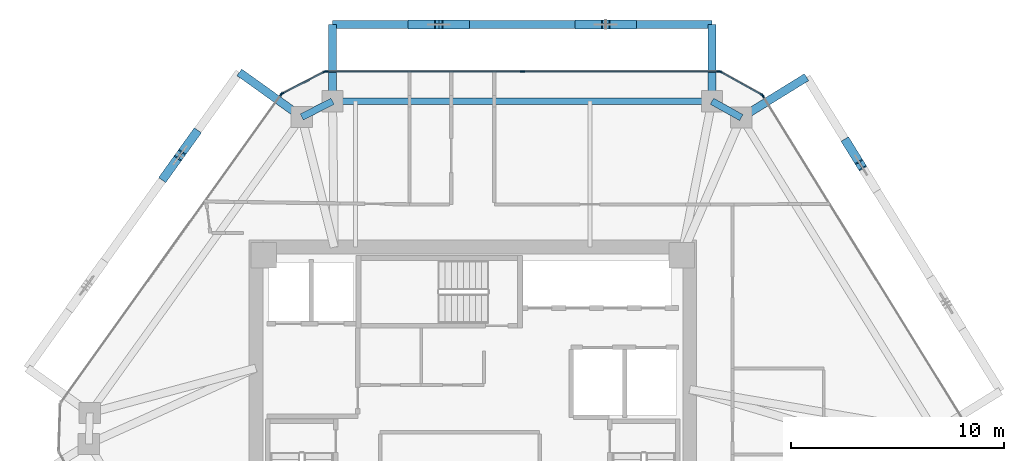
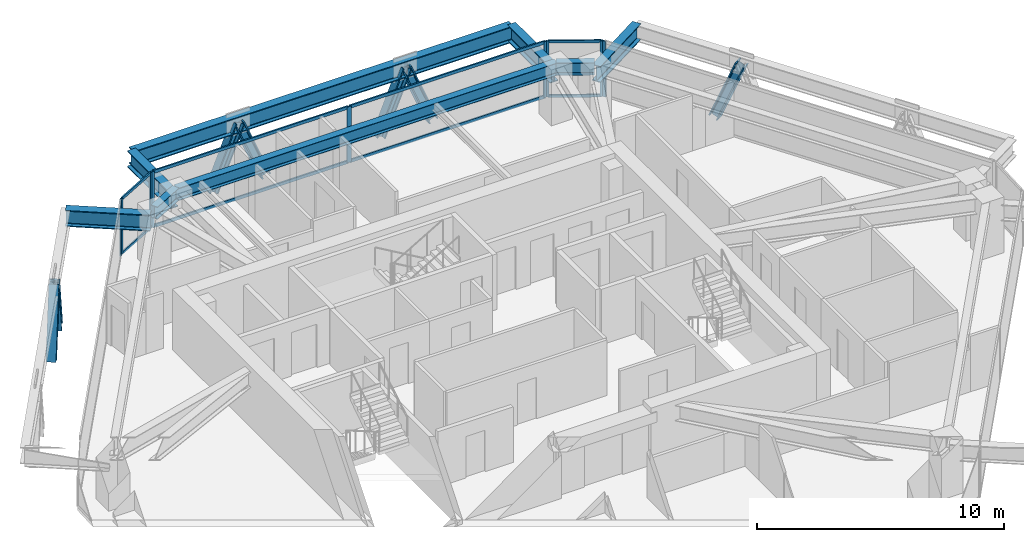
# One storey, part 6 of 14: 24 members, 8 beams, 5 elements without a shape of their own.
"""IFC4 building model written with IfcOpenShell, lengths in metres."""

from ifc_helpers import new_model, si_unit, direction, frame, origin, origin_2d, place, context, subcontext, project, spatial, rectangle, i_section, extrude, source, transform, mapped, material, layer, layer_set, material_profile, profile_set, type_object, type_shapes, element, aggregate, save


model = new_model("IFC4")

# Units and contexts
model_context = context("Model", 3, precision=1e-05, world=origin(), true_north=direction((0.0, 1.0)))
body_context = subcontext(model_context, "Body", "Model", "MODEL_VIEW")
ifc_project = project(units=[si_unit("LENGTHUNIT", "METRE"), si_unit("AREAUNIT", "SQUARE_METRE"), si_unit("VOLUMEUNIT", "CUBIC_METRE"), si_unit("PLANEANGLEUNIT", "RADIAN"), si_unit("MASSUNIT", "GRAM", prefix="KILO")], contexts=[model_context])

# Site, building, storey
site_placement = place(None, origin())
site = spatial("IfcSite", under=ifc_project, at=site_placement, CompositionType="ELEMENT")
building_placement = place(site_placement, origin())
building = spatial("IfcBuilding", under=site, at=building_placement, Name="Durnholm Broadcast Tower", CompositionType="ELEMENT")
storey_placement = place(building_placement, frame((0.0, 0.0, 200.199951171875)))
storey = spatial("IfcBuildingStorey", under=building, at=storey_placement, Name="L55", CompositionType="ELEMENT", Elevation=200.199951171875)

# Beams
ifc_material_1 = material(Name="Steel ASTM A992 Grade 50", Category="steel")
ifc_material_profile_1 = material_profile(ifc_material_1, i_section(OverallWidth=0.385009765625, OverallDepth=0.802978515625, WebThickness=0.023681640625, FlangeThickness=0.0419921875, FilletRadius=0.032958984375, at=origin_2d()), Name="W30X261")
ifc_profile_set_1 = profile_set([ifc_material_profile_1], Name="Steel ASTM A992 Grade 50")
beam_type_1 = type_object("IfcBeamType", Name="BM-EXO-TIE", PredefinedType="USERDEFINED", material=ifc_profile_set_1)
shared_shape_1 = source(origin(), body_context, "Body", "SweptSolid", [
    extrude(i_section(OverallWidth=0.385009765625, OverallDepth=0.802978515625, WebThickness=0.023681640625, FlangeThickness=0.0419921875, FilletRadius=0.032958984375, at=origin_2d()), origin(), (0.0, 0.0, 1.0), 3.4560546875),
])
for number, where, z_axis, x_axis, name in (
    (1, (12.713134765625, 14.327880859375, 2.008544921875), (0.850662348375, 0.525712439512, 0.0), (-0.525712439512, 0.850662348375, 0.0), "L55 exoskeleton stand-off tie bracket F3.2"),
    (2, (-8.138916015625, 14.360107421875, 2.008544921875), (-0.813079048773, 0.582153296346, 0.0), (-0.582153296346, -0.813079048773, 0.0), "L55 exoskeleton stand-off tie bracket F5.1"),
):
    element("IfcBeam", number, at=place(storey_placement, frame(where, z_axis=z_axis, x_axis=x_axis)), inside=storey, type_object=beam_type_1, Name=name, ObjectType="GIRDER", PredefinedType="USERDEFINED", context=body_context, shape_type="MappedRepresentation", body=[
        mapped(shared_shape_1, transform((0.0, 0.0, 0.0), x_axis=(1.0, 0.0, 0.0), y_axis=(0.0, 1.0, 0.0), z_axis=(0.0, 0.0, 1.0), scale=1.0)),
    ])
shared_shape_2 = source(origin(), body_context, "Body", "SweptSolid", [
    extrude(i_section(OverallWidth=0.385009765625, OverallDepth=0.802978515625, WebThickness=0.023681640625, FlangeThickness=0.0419921875, FilletRadius=0.032958984375, at=origin_2d()), origin(), (0.0, 0.0, 1.0), 3.455810546875),
])
for number, where, z_axis, x_axis, name in (
    (3, (11.217529296875, 15.162109375, 2.008544921875), (0.0, 1.0, 0.0), (-1.0, 0.0, 0.0), "L55 exoskeleton stand-off tie bracket F4.1"),
    (4, (-6.57861328125, 15.162109375, 2.008544921875), (0.0, 1.0, 0.0), (-1.0, 0.0, 0.0), "L55 exoskeleton stand-off tie bracket F4.2"),
):
    element("IfcBeam", number, at=place(storey_placement, frame(where, z_axis=z_axis, x_axis=x_axis)), inside=storey, type_object=beam_type_1, Name=name, ObjectType="GIRDER", PredefinedType="USERDEFINED", context=body_context, shape_type="MappedRepresentation", body=[
        mapped(shared_shape_2, transform((0.0, 0.0, 0.0), x_axis=(1.0, 0.0, 0.0), y_axis=(0.0, 1.0, 0.0), z_axis=(0.0, 0.0, 1.0), scale=1.0)),
    ])
ifc_material_profile_2 = material_profile(ifc_material_1, i_section(OverallWidth=0.3251953125, OverallDepth=0.6162109375, WebThickness=0.013916015625, FlangeThickness=0.021484375, FilletRadius=0.02783203125, at=origin_2d()), Name="W24X117")
ifc_profile_set_2 = profile_set([ifc_material_profile_2], Name="Steel ASTM A992 Grade 50")
beam_type_2 = type_object("IfcBeamType", Name="STL-SP-W24X117", PredefinedType="SPANDREL", material=ifc_profile_set_2)
shared_shape_3 = source(origin(), body_context, "Body", "SweptSolid", [
    extrude(i_section(OverallWidth=0.3251953125, OverallDepth=0.6162109375, WebThickness=0.013916015625, FlangeThickness=0.021484375, FilletRadius=0.02783203125, at=origin_2d()), origin(), (0.0, 0.0, 1.0), 1.62255859375),
])
beam_1_placement = place(storey_placement, frame((-8.021728515625, 14.2763671875, 2.43701171875), z_axis=(0.889406668864, 0.45711680934, 0.0), x_axis=(-0.45711680934, 0.889406668864, 0.0)))
element("IfcBeam", 5, at=beam_1_placement, inside=storey, type_object=beam_type_2, Name="L55 perimeter spandrel girder 04", PredefinedType="SPANDREL", context=body_context, shape_type="MappedRepresentation", body=[
    mapped(shared_shape_3, transform((0.0, 0.0, 0.0), x_axis=(1.0, 0.0, 0.0), y_axis=(0.0, 1.0, 0.0), z_axis=(0.0, 0.0, 1.0), scale=1.0)),
])
shared_shape_4 = source(origin(), body_context, "Body", "SweptSolid", [
    extrude(i_section(OverallWidth=0.3251953125, OverallDepth=0.6162109375, WebThickness=0.013916015625, FlangeThickness=0.021484375, FilletRadius=0.02783203125, at=origin_2d()), origin(), (0.0, 0.0, 1.0), 17.796142578125),
])
beam_2_placement = place(storey_placement, frame((-6.57861328125, 15.01806640625, 2.43701171875), z_axis=(1.0, 0.0, 0.0), x_axis=(0.0, 1.0, 0.0)))
element("IfcBeam", 6, at=beam_2_placement, inside=storey, type_object=beam_type_2, Name="L55 perimeter spandrel girder 05", PredefinedType="SPANDREL", context=body_context, shape_type="MappedRepresentation", body=[
    mapped(shared_shape_4, transform((0.0, 0.0, 0.0), x_axis=(1.0, 0.0, 0.0), y_axis=(0.0, 1.0, 0.0), z_axis=(0.0, 0.0, 1.0), scale=1.0)),
])
shared_shape_5 = source(origin(), body_context, "Body", "SweptSolid", [
    extrude(i_section(OverallWidth=0.3251953125, OverallDepth=0.6162109375, WebThickness=0.013916015625, FlangeThickness=0.021484375, FilletRadius=0.02783203125, at=origin_2d()), origin(), (0.0, 0.0, 1.0), 1.572509765625),
])
type_shapes(beam_type_2, [shared_shape_3, shared_shape_4, shared_shape_5])
beam_3_placement = place(storey_placement, frame((11.217529296875, 15.01806640625, 2.43701171875), z_axis=(0.873365144476, -0.487066037017, 0.0), x_axis=(0.487066037017, 0.873365144476, 0.0)))
element("IfcBeam", 7, at=beam_3_placement, inside=storey, type_object=beam_type_2, Name="L55 perimeter spandrel girder 06", PredefinedType="SPANDREL", context=body_context, shape_type="MappedRepresentation", body=[
    mapped(shared_shape_5, transform((0.0, 0.0, 0.0), x_axis=(1.0, 0.0, 0.0), y_axis=(0.0, 1.0, 0.0), z_axis=(0.0, 0.0, 1.0), scale=1.0)),
])
shared_shape_6 = source(origin(), body_context, "Body", "SweptSolid", [
    extrude(i_section(OverallWidth=0.385009765625, OverallDepth=0.802978515625, WebThickness=0.023681640625, FlangeThickness=0.0419921875, FilletRadius=0.032958984375, at=origin_2d()), origin(), (0.0, 0.0, 1.0), 17.796142578125),
])
type_shapes(beam_type_1, [shared_shape_1, shared_shape_2, shared_shape_6])
beam_4_placement = place(storey_placement, frame((11.217529296875, 18.617919921875, 2.008544921875), z_axis=(-1.0, 0.0, 0.0), x_axis=(0.0, -1.0, 0.0)))
element("IfcBeam", 8, at=beam_4_placement, inside=storey, type_object=beam_type_1, Name="L55 exoskeleton collector spandrel F4", PredefinedType="SPANDREL", context=body_context, shape_type="MappedRepresentation", body=[
    mapped(shared_shape_6, transform((0.0, 0.0, 0.0), x_axis=(1.0, 0.0, 0.0), y_axis=(0.0, 1.0, 0.0), z_axis=(0.0, 0.0, 1.0), scale=1.0)),
])

# Members
ifc_material_2 = material(Name="Steel ASTM A913 Grade 65", Category="steel")
ifc_material_profile_3 = material_profile(ifc_material_2, i_section(OverallWidth=0.412109375, OverallDepth=0.434814453125, WebThickness=0.035888671875, FlangeThickness=0.057373046875, FilletRadius=0.030517578125, at=origin_2d()), Name="W14X311")
ifc_profile_set_3 = profile_set([ifc_material_profile_3], Name="Steel ASTM A913 Grade 65")
member_type_1 = type_object("IfcMemberType", Name="STL-DG-W14X311", PredefinedType="BRACE", material=ifc_profile_set_3)
shared_shape_7 = source(origin(), body_context, "Body", "SweptSolid", [
    extrude(i_section(OverallWidth=0.412109375, OverallDepth=0.434814453125, WebThickness=0.035888671875, FlangeThickness=0.057373046875, FilletRadius=0.030517578125, at=origin_2d()), origin(), (0.0, 0.0, 1.0), 3.243896484375),
])
type_shapes(member_type_1, [shared_shape_7])
for number, where, z_axis, x_axis, name in (
    (9, (17.551513671875, 13.072998046875, -0.991455078125), (0.199969768525, -0.323624390162, 0.924813141001), (0.850699125742, 0.525652924906, 0.0), "L55 stand-off diagrid brace F3.D2.2"),
    (10, (7.468505859375, 18.617919921875, -0.991455078125), (-0.380378804119, 0.0, 0.924830776616), (0.0, -1.0, 0.0), "L55 stand-off diagrid brace F4.D1.1"),
    (11, (5.000732421875, 18.617919921875, -0.991455078125), (0.380378804119, 0.0, 0.924830776616), (0.0, 1.0, 0.0), "L55 stand-off diagrid brace F4.D1.2"),
    (12, (-0.36181640625, 18.617919921875, -0.991455078125), (-0.380378804119, 0.0, 0.924830776616), (0.0, -1.0, 0.0), "L55 stand-off diagrid brace F4.D2.1"),
    (13, (-2.82958984375, 18.617919921875, -0.991455078125), (0.380378804119, 0.0, 0.924830776616), (0.0, 1.0, 0.0), "L55 stand-off diagrid brace F4.D2.2"),
    (14, (-13.013427734375, 13.48876953125, -0.991455078125), (-0.22142581661, -0.309258558956, 0.92484039242), (0.813077820009, -0.582155012526, 0.0), "L55 stand-off diagrid brace F5.D1.1"),
    (15, (-14.449951171875, 11.482421875, -0.991455078125), (0.22142581661, 0.309258558956, 0.92484039242), (-0.813077820009, 0.582155012526, 0.0), "L55 stand-off diagrid brace F5.D1.2"),
):
    element("IfcMember", number, at=place(storey_placement, frame(where, z_axis=z_axis, x_axis=x_axis)), inside=storey, type_object=member_type_1, Name=name, PredefinedType="BRACE", context=body_context, shape_type="MappedRepresentation", body=[
        mapped(shared_shape_7, transform((0.0, 0.0, 0.0), x_axis=(1.0, 0.0, 0.0), y_axis=(0.0, 1.0, 0.0), z_axis=(0.0, 0.0, 1.0), scale=1.0)),
    ])

# Curtain wall, members
ifc_material_3 = material(Name="Aluminium and Solar Control IGU", Category="aluminium")
ifc_layer_1 = layer(ifc_material_3, 0.1650390625)
ifc_layer_set_1 = layer_set([ifc_layer_1], Name="Aluminium and Solar Control IGU")
curtain_wall_type_1 = type_object("IfcCurtainWallType", Name="CW-SYS-5", PredefinedType="NOTDEFINED", material=ifc_layer_set_1)
curtain_wall_1_placement = place(storey_placement, origin())
curtain_wall_1 = element("IfcCurtainWall", 16, at=curtain_wall_1_placement, inside=storey, type_object=curtain_wall_type_1, Name="L55 curtain wall CW-CORNER CW-L55-CRN-03", PredefinedType="NOTDEFINED")
ifc_material_4 = material(Name="Aluminium 6063-T6", Category="aluminium")
ifc_material_profile_4 = material_profile(ifc_material_4, rectangle(XDim=0.06494140625, YDim=0.1650390625, at=origin_2d()), Name="CWM65X165")
ifc_profile_set_4 = profile_set([ifc_material_profile_4], Name="Aluminium 6063-T6")
member_type_2 = type_object("IfcMemberType", Name="CW-SYS-5-MUL", PredefinedType="MULLION", material=ifc_profile_set_4)
shared_shape_8 = source(origin(), body_context, "Body", "SweptSolid", [
    extrude(rectangle(XDim=0.06494140625, YDim=0.1650390625, at=origin_2d()), origin(), (0.0, 0.0, 1.0), 2.760009765625),
])
type_shapes(member_type_2, [shared_shape_8])
member_1_placement = place(storey_placement, frame((-8.93408203125, 15.381591796875, 0.0), z_axis=(0.0, 0.0, 1.0), x_axis=(-0.457081764476, 0.889424679545, 0.0)))
member_1 = element("IfcMember", 17, at=member_1_placement, type_object=member_type_2, Name="CW-CORNER mullion 1", PredefinedType="MULLION", context=body_context, shape_type="MappedRepresentation", body=[
    mapped(shared_shape_8, transform((0.0, 0.0, 0.0), x_axis=(1.0, 0.0, 0.0), y_axis=(0.0, 1.0, 0.0), z_axis=(0.0, 0.0, 1.0), scale=1.0)),
])
member_2_placement = place(storey_placement, frame((-6.9462890625, 16.403076171875, 0.0), z_axis=(0.0, 0.0, 1.0), x_axis=(-0.457081764476, 0.889424679545, 0.0)))
member_2 = element("IfcMember", 18, at=member_2_placement, type_object=member_type_2, Name="CW-CORNER mullion 2", PredefinedType="MULLION", context=body_context, shape_type="MappedRepresentation", body=[
    mapped(shared_shape_8, transform((0.0, 0.0, 0.0), x_axis=(1.0, 0.0, 0.0), y_axis=(0.0, 1.0, 0.0), z_axis=(0.0, 0.0, 1.0), scale=1.0)),
])

curtain_wall_2_placement = place(storey_placement, origin())
curtain_wall_2 = element("IfcCurtainWall", 19, at=curtain_wall_2_placement, inside=storey, type_object=curtain_wall_type_1, Name="L55 curtain wall CW-CORNER CW-L55-CRN-05", PredefinedType="NOTDEFINED")
member_3_placement = place(storey_placement, frame((11.60986328125, 16.402099609375, 0.0), z_axis=(0.0, 0.0, 1.0), x_axis=(0.486986043316, 0.873409751271, 0.0)))
member_3 = element("IfcMember", 20, at=member_3_placement, type_object=member_type_2, Name="CW-CORNER mullion 1", PredefinedType="MULLION", context=body_context, shape_type="MappedRepresentation", body=[
    mapped(shared_shape_8, transform((0.0, 0.0, 0.0), x_axis=(1.0, 0.0, 0.0), y_axis=(0.0, 1.0, 0.0), z_axis=(0.0, 0.0, 1.0), scale=1.0)),
])
member_4_placement = place(storey_placement, frame((13.56201171875, 15.313720703125, 0.0), z_axis=(0.0, 0.0, 1.0), x_axis=(0.486986043316, 0.873409751271, 0.0)))
member_4 = element("IfcMember", 21, at=member_4_placement, type_object=member_type_2, Name="CW-CORNER mullion 2", PredefinedType="MULLION", context=body_context, shape_type="MappedRepresentation", body=[
    mapped(shared_shape_8, transform((0.0, 0.0, 0.0), x_axis=(1.0, 0.0, 0.0), y_axis=(0.0, 1.0, 0.0), z_axis=(0.0, 0.0, 1.0), scale=1.0)),
])

# Member
ifc_material_profile_5 = material_profile(ifc_material_4, rectangle(XDim=0.06494140625, YDim=0.1298828125, at=origin_2d()), Name="CWT65X130")
ifc_profile_set_5 = profile_set([ifc_material_profile_5], Name="Aluminium 6063-T6")
member_type_3 = type_object("IfcMemberType", Name="CW-SYS-5-TRN", PredefinedType="USERDEFINED", material=ifc_profile_set_5)
shared_shape_9 = source(origin(), body_context, "Body", "SweptSolid", [
    extrude(rectangle(XDim=0.06494140625, YDim=0.1298828125, at=origin_2d()), origin(), (0.0, 0.0, 1.0), 2.169921875),
])
type_shapes(member_type_3, [shared_shape_9])
member_5_placement = place(storey_placement, frame((-8.9052734375, 15.396484375, 0.032470703125), z_axis=(0.889468148591, 0.456997169185, 0.0), x_axis=(-0.456997169185, 0.889468148591, 0.0)))
member_5 = element("IfcMember", 22, at=member_5_placement, type_object=member_type_3, Name="CW-CORNER transom 1.1", ObjectType="TRANSOM", PredefinedType="USERDEFINED", context=body_context, shape_type="MappedRepresentation", body=[
    mapped(shared_shape_9, transform((0.0, 0.0, 0.0), x_axis=(1.0, 0.0, 0.0), y_axis=(0.0, 1.0, 0.0), z_axis=(0.0, 0.0, 1.0), scale=1.0)),
])

member_6_placement = place(storey_placement, frame((-8.9052734375, 15.396484375, 2.7275390625), z_axis=(0.889468148591, 0.456997169185, 0.0), x_axis=(-0.456997169185, 0.889468148591, 0.0)))
member_6 = element("IfcMember", 23, at=member_6_placement, type_object=member_type_3, Name="CW-CORNER transom 1.2", ObjectType="TRANSOM", PredefinedType="USERDEFINED", context=body_context, shape_type="MappedRepresentation", body=[
    mapped(shared_shape_9, transform((0.0, 0.0, 0.0), x_axis=(1.0, 0.0, 0.0), y_axis=(0.0, 1.0, 0.0), z_axis=(0.0, 0.0, 1.0), scale=1.0)),
])

aggregate(curtain_wall_1, [member_1, member_2, member_5, member_6])

member_7_placement = place(storey_placement, frame((11.63818359375, 16.38623046875, 0.032470703125), z_axis=(0.873429215361, -0.48695113282, 0.0), x_axis=(0.48695113282, 0.873429215361, 0.0)))
member_7 = element("IfcMember", 24, at=member_7_placement, type_object=member_type_3, Name="CW-CORNER transom 1.1", ObjectType="TRANSOM", PredefinedType="USERDEFINED", context=body_context, shape_type="MappedRepresentation", body=[
    mapped(shared_shape_9, transform((0.0, 0.0, 0.0), x_axis=(1.0, 0.0, 0.0), y_axis=(0.0, 1.0, 0.0), z_axis=(0.0, 0.0, 1.0), scale=1.0)),
])

member_8_placement = place(storey_placement, frame((11.63818359375, 16.38623046875, 2.7275390625), z_axis=(0.873429215361, -0.48695113282, 0.0), x_axis=(0.48695113282, 0.873429215361, 0.0)))
member_8 = element("IfcMember", 25, at=member_8_placement, type_object=member_type_3, Name="CW-CORNER transom 1.2", ObjectType="TRANSOM", PredefinedType="USERDEFINED", context=body_context, shape_type="MappedRepresentation", body=[
    mapped(shared_shape_9, transform((0.0, 0.0, 0.0), x_axis=(1.0, 0.0, 0.0), y_axis=(0.0, 1.0, 0.0), z_axis=(0.0, 0.0, 1.0), scale=1.0)),
])

aggregate(curtain_wall_2, [member_3, member_4, member_7, member_8])

# Curtain wall, members
ifc_layer_2 = layer(ifc_material_3, 0.18994140625)
ifc_layer_set_2 = layer_set([ifc_layer_2], Name="Aluminium and Solar Control IGU")
curtain_wall_type_2 = type_object("IfcCurtainWallType", Name="CW-SYS-4", PredefinedType="NOTDEFINED", material=ifc_layer_set_2)
curtain_wall_3_placement = place(storey_placement, origin())
curtain_wall_3 = element("IfcCurtainWall", 26, at=curtain_wall_3_placement, inside=storey, type_object=curtain_wall_type_2, Name="L55 curtain wall CW-Z34-VIS CW-L55-F04", PredefinedType="NOTDEFINED")
ifc_material_profile_6 = material_profile(ifc_material_4, rectangle(XDim=0.070068359375, YDim=0.14990234375, at=origin_2d()), Name="CWT70X150")
ifc_profile_set_6 = profile_set([ifc_material_profile_6], Name="Aluminium 6063-T6")
member_type_4 = type_object("IfcMemberType", Name="CW-SYS-4-TRN", PredefinedType="USERDEFINED", material=ifc_profile_set_6)
shared_shape_10 = source(origin(), body_context, "Body", "SweptSolid", [
    extrude(rectangle(XDim=0.070068359375, YDim=0.14990234375, at=origin_2d()), origin(), (0.0, 0.0, 1.0), 9.14453125),
])
type_shapes(member_type_4, [shared_shape_10])
member_9_placement = place(storey_placement, frame((-6.847412109375, 16.41796875, 0.03515625), z_axis=(1.0, 0.0, 0.0), x_axis=(0.0, 1.0, 0.0)))
member_9 = element("IfcMember", 27, at=member_9_placement, type_object=member_type_4, Name="CW-Z34-VIS transom 1.1", ObjectType="TRANSOM", PredefinedType="USERDEFINED", context=body_context, shape_type="MappedRepresentation", body=[
    mapped(shared_shape_10, transform((0.0, 0.0, 0.0), x_axis=(1.0, 0.0, 0.0), y_axis=(0.0, 1.0, 0.0), z_axis=(0.0, 0.0, 1.0), scale=1.0)),
])
member_10_placement = place(storey_placement, frame((-6.847412109375, 16.41796875, 2.72509765625), z_axis=(1.0, 0.0, 0.0), x_axis=(0.0, 1.0, 0.0)))
member_10 = element("IfcMember", 28, at=member_10_placement, type_object=member_type_4, Name="CW-Z34-VIS transom 1.2", ObjectType="TRANSOM", PredefinedType="USERDEFINED", context=body_context, shape_type="MappedRepresentation", body=[
    mapped(shared_shape_10, transform((0.0, 0.0, 0.0), x_axis=(1.0, 0.0, 0.0), y_axis=(0.0, 1.0, 0.0), z_axis=(0.0, 0.0, 1.0), scale=1.0)),
])
member_11_placement = place(storey_placement, frame((2.366943359375, 16.41796875, 0.03515625), z_axis=(1.0, 0.0, 0.0), x_axis=(0.0, 1.0, 0.0)))
member_11 = element("IfcMember", 29, at=member_11_placement, type_object=member_type_4, Name="CW-Z34-VIS transom 2.1", ObjectType="TRANSOM", PredefinedType="USERDEFINED", context=body_context, shape_type="MappedRepresentation", body=[
    mapped(shared_shape_10, transform((0.0, 0.0, 0.0), x_axis=(1.0, 0.0, 0.0), y_axis=(0.0, 1.0, 0.0), z_axis=(0.0, 0.0, 1.0), scale=1.0)),
])
member_12_placement = place(storey_placement, frame((2.366943359375, 16.41796875, 2.72509765625), z_axis=(1.0, 0.0, 0.0), x_axis=(0.0, 1.0, 0.0)))
member_12 = element("IfcMember", 30, at=member_12_placement, type_object=member_type_4, Name="CW-Z34-VIS transom 2.2", ObjectType="TRANSOM", PredefinedType="USERDEFINED", context=body_context, shape_type="MappedRepresentation", body=[
    mapped(shared_shape_10, transform((0.0, 0.0, 0.0), x_axis=(1.0, 0.0, 0.0), y_axis=(0.0, 1.0, 0.0), z_axis=(0.0, 0.0, 1.0), scale=1.0)),
])

# Curtain wall, member
curtain_wall_4_placement = place(storey_placement, origin())
curtain_wall_4 = element("IfcCurtainWall", 31, at=curtain_wall_4_placement, inside=storey, type_object=curtain_wall_type_2, Name="L55 curtain wall CW-Z34-VIS CW-L55-F02", PredefinedType="NOTDEFINED")
ifc_material_profile_7 = material_profile(ifc_material_4, rectangle(XDim=0.070068359375, YDim=0.18994140625, at=origin_2d()), Name="CWM70X190")
ifc_profile_set_7 = profile_set([ifc_material_profile_7], Name="Aluminium 6063-T6")
member_type_5 = type_object("IfcMemberType", Name="CW-SYS-4-MUL", PredefinedType="MULLION", material=ifc_profile_set_7)
shared_shape_11 = source(origin(), body_context, "Body", "SweptSolid", [
    extrude(rectangle(XDim=0.070068359375, YDim=0.18994140625, at=origin_2d()), origin(), (0.0, 0.0, 1.0), 2.760009765625),
])
type_shapes(member_type_5, [shared_shape_11])
member_13_placement = place(storey_placement, frame((-8.9833984375, 15.338134765625, 0.0), z_axis=(0.0, 0.0, 1.0), x_axis=(-0.813089262696, 0.582139030549, 0.0)))
member_13 = element("IfcMember", 32, at=member_13_placement, type_object=member_type_5, Name="CW-Z34-VIS mullion 2", PredefinedType="MULLION", context=body_context, shape_type="MappedRepresentation", body=[
    mapped(shared_shape_11, transform((0.0, 0.0, 0.0), x_axis=(1.0, 0.0, 0.0), y_axis=(0.0, 1.0, 0.0), z_axis=(0.0, 0.0, 1.0), scale=1.0)),
])
aggregate(curtain_wall_4, [member_13])

# Member
member_14_placement = place(storey_placement, frame((-6.88232421875, 16.41796875, 0.0), z_axis=(0.0, 0.0, 1.0), x_axis=(0.0, 1.0, 0.0)))
member_14 = element("IfcMember", 33, at=member_14_placement, type_object=member_type_5, Name="CW-Z34-VIS mullion 1", PredefinedType="MULLION", context=body_context, shape_type="MappedRepresentation", body=[
    mapped(shared_shape_11, transform((0.0, 0.0, 0.0), x_axis=(1.0, 0.0, 0.0), y_axis=(0.0, 1.0, 0.0), z_axis=(0.0, 0.0, 1.0), scale=1.0)),
])

member_15_placement = place(storey_placement, frame((2.33203125, 16.41796875, 0.0), z_axis=(0.0, 0.0, 1.0), x_axis=(0.0, 1.0, 0.0)))
member_15 = element("IfcMember", 34, at=member_15_placement, type_object=member_type_5, Name="CW-Z34-VIS mullion 2", PredefinedType="MULLION", context=body_context, shape_type="MappedRepresentation", body=[
    mapped(shared_shape_11, transform((0.0, 0.0, 0.0), x_axis=(1.0, 0.0, 0.0), y_axis=(0.0, 1.0, 0.0), z_axis=(0.0, 0.0, 1.0), scale=1.0)),
])

member_16_placement = place(storey_placement, frame((11.54638671875, 16.41796875, 0.0), z_axis=(0.0, 0.0, 1.0), x_axis=(0.0, 1.0, 0.0)))
member_16 = element("IfcMember", 35, at=member_16_placement, type_object=member_type_5, Name="CW-Z34-VIS mullion 3", PredefinedType="MULLION", context=body_context, shape_type="MappedRepresentation", body=[
    mapped(shared_shape_11, transform((0.0, 0.0, 0.0), x_axis=(1.0, 0.0, 0.0), y_axis=(0.0, 1.0, 0.0), z_axis=(0.0, 0.0, 1.0), scale=1.0)),
])

aggregate(curtain_wall_3, [member_14, member_15, member_16, member_9, member_10, member_11, member_12])

# Curtain wall, member
curtain_wall_5_placement = place(storey_placement, origin())
curtain_wall_5 = element("IfcCurtainWall", 36, at=curtain_wall_5_placement, inside=storey, type_object=curtain_wall_type_2, Name="L55 curtain wall CW-Z34-VIS CW-L55-F06", PredefinedType="NOTDEFINED")
member_17_placement = place(storey_placement, frame((13.608642578125, 15.26806640625, 0.0), z_axis=(0.0, 0.0, 1.0), x_axis=(0.850671426092, 0.525697750452, 0.0)))
member_17 = element("IfcMember", 37, at=member_17_placement, type_object=member_type_5, Name="CW-Z34-VIS mullion 1", PredefinedType="MULLION", context=body_context, shape_type="MappedRepresentation", body=[
    mapped(shared_shape_11, transform((0.0, 0.0, 0.0), x_axis=(1.0, 0.0, 0.0), y_axis=(0.0, 1.0, 0.0), z_axis=(0.0, 0.0, 1.0), scale=1.0)),
])
aggregate(curtain_wall_5, [member_17])

save(model, "model.ifc")
